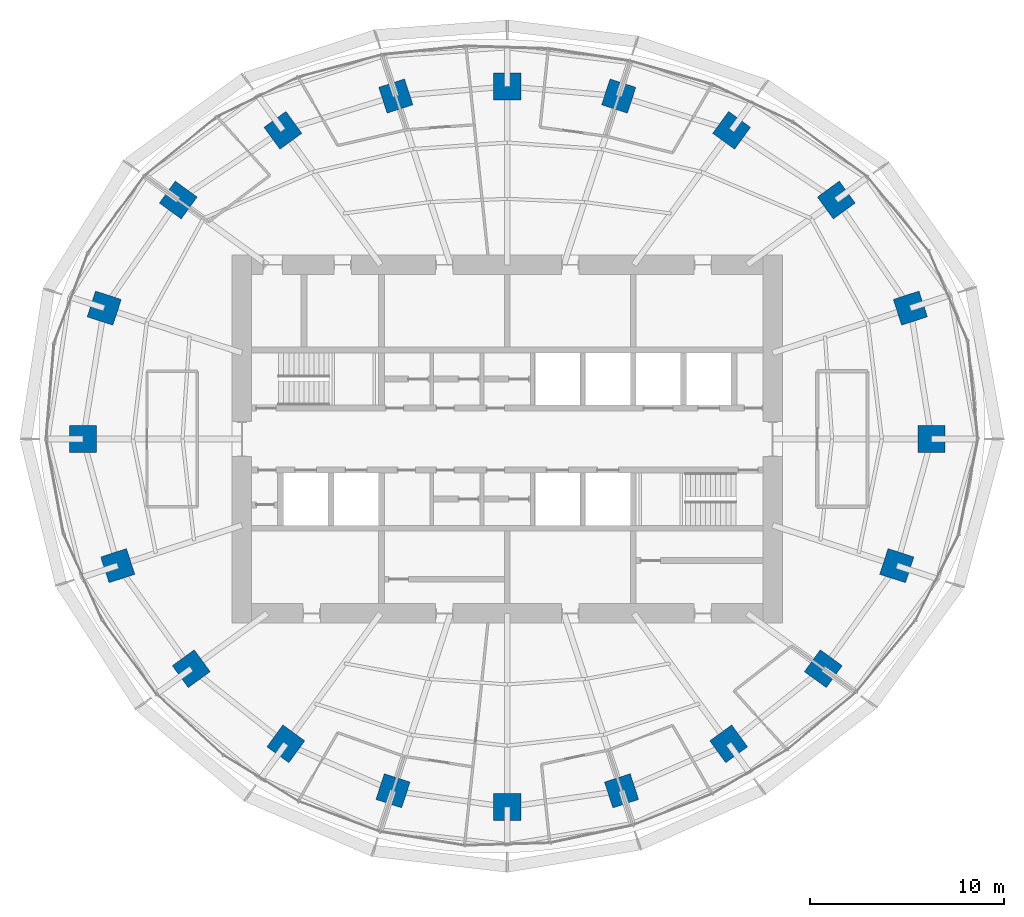
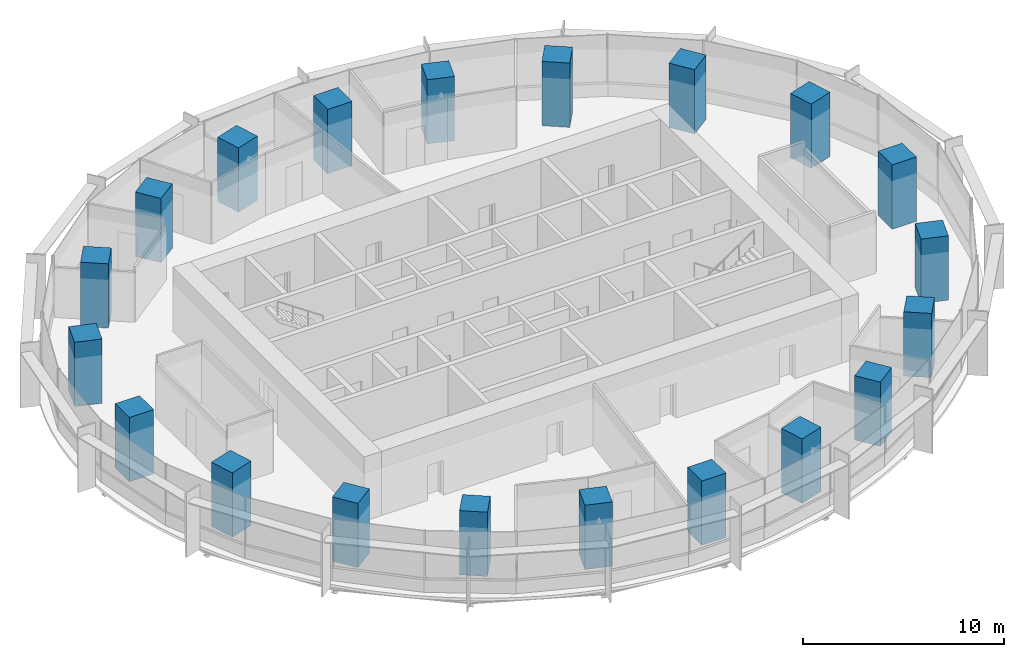
# One storey, part 1 of 15: 20 columns.
"""IFC4 building model written with IfcOpenShell, lengths in metres."""

from ifc_helpers import new_model, si_unit, direction, frame, origin, origin_2d, place, context, subcontext, project, spatial, rectangle, extrude, material, material_profile, profile_set, type_object, element, save


model = new_model("IFC4")

# Units and contexts
model_context = context("Model", 3, precision=1e-05, world=origin(), true_north=direction((0.0, 1.0)))
body_context = subcontext(model_context, "Body", "Model", "MODEL_VIEW")
ifc_project = project(units=[si_unit("LENGTHUNIT", "METRE"), si_unit("AREAUNIT", "SQUARE_METRE"), si_unit("VOLUMEUNIT", "CUBIC_METRE"), si_unit("PLANEANGLEUNIT", "RADIAN"), si_unit("MASSUNIT", "GRAM", prefix="KILO")], contexts=[model_context])

# Site, building, storey
site_placement = place(None, origin())
site = spatial("IfcSite", under=ifc_project, at=site_placement, CompositionType="ELEMENT")
building_placement = place(site_placement, origin())
building = spatial("IfcBuilding", under=site, at=building_placement, Name="Marramba Exchange Tower", CompositionType="ELEMENT")
storey_placement = place(building_placement, frame((0.0, 0.0, 187.699951171875)))
storey = spatial("IfcBuildingStorey", under=building, at=storey_placement, Name="L45", CompositionType="ELEMENT", Elevation=187.699951171875)

# Columns
ifc_material = material(Name="Concrete N50", Category="concrete")
ifc_material_profile = material_profile(ifc_material, rectangle(XDim=1.39990234375, YDim=1.39990234375, at=origin_2d()), Name="RC 1400x1400")
ifc_profile_set = profile_set([ifc_material_profile], Name="Concrete N50")
column_type = type_object("IfcColumnType", Name="Perimeter column RC 1400x1400 N50", PredefinedType="COLUMN", material=ifc_profile_set)
for number, where, z_axis, x_axis, name in (
    (1, (21.89990234375, 0.0, 0.0), (0.0, 0.0, 1.0), (1.0, 0.0, 0.0), "Column TC01 L45"),
    (2, (20.808349609375, 6.760986328125, 0.0), (0.0, 0.0, 1.0), (0.951056516295, 0.309016994375, 0.0), "Column TC02 L45"),
    (3, (16.98583984375, 12.3408203125, 0.0), (0.0, 0.0, 1.0), (0.809016994375, 0.587785252292, 0.0), "Column TC03 L45"),
    (4, (11.581298828125, 15.9404296875, 0.0), (0.0, 0.0, 1.0), (0.587785252292, 0.809016994375, 0.0), "Column TC04 L45"),
    (5, (5.75390625, 17.70849609375, 0.0), (0.0, 0.0, 1.0), (0.309016994375, 0.951056516295, 0.0), "Column TC05 L45"),
    (6, (0.0, 18.2041015625, 0.0), (0.0, 0.0, 1.0), (0.0, 1.0, 0.0), "Column TC06 L45"),
    (7, (-5.75390625, 17.70849609375, 0.0), (0.0, 0.0, 1.0), (-0.309016994375, 0.951056516295, 0.0), "Column TC07 L45"),
    (8, (-11.581298828125, 15.9404296875, 0.0), (0.0, 0.0, 1.0), (-0.587785252292, 0.809016994375, 0.0), "Column TC08 L45"),
    (9, (-16.98583984375, 12.3408203125, 0.0), (0.0, 0.0, 1.0), (-0.809016994375, 0.587785252292, 0.0), "Column TC09 L45"),
    (10, (-20.808349609375, 6.760986328125, 0.0), (0.0, 0.0, 1.0), (-0.951056516295, 0.309016994375, 0.0), "Column TC10 L45"),
    (11, (-21.89990234375, 0.0, 0.0), (0.0, 0.0, 1.0), (-1.0, 0.0, 0.0), "Column TC11 L45"),
    (12, (-20.109375, -6.533935546875, 0.0), (0.0, 0.0, 1.0), (-0.951056516295, -0.309016994375, 0.0), "Column TC12 L45"),
    (13, (-16.3154296875, -11.853759765625, 0.0), (0.0, 0.0, 1.0), (-0.809016994375, -0.587785252292, 0.0), "Column TC13 L45"),
    (14, (-11.430419921875, -15.732666015625, 0.0), (0.0, 0.0, 1.0), (-0.587785252292, -0.809016994375, 0.0), "Column TC14 L45"),
    (15, (-5.899658203125, -18.156982421875, 0.0), (0.0, 0.0, 1.0), (-0.309016994375, -0.951056516295, 0.0), "Column TC15 L45"),
    (16, (0.0, -18.99609375, 0.0), (0.0, 0.0, 1.0), (0.0, -1.0, 0.0), "Column TC16 L45"),
    (17, (5.899658203125, -18.156982421875, 0.0), (0.0, 0.0, 1.0), (0.309016994375, -0.951056516295, 0.0), "Column TC17 L45"),
    (18, (11.430419921875, -15.732666015625, 0.0), (0.0, 0.0, 1.0), (0.587785252292, -0.809016994375, 0.0), "Column TC18 L45"),
    (19, (16.3154296875, -11.853759765625, 0.0), (0.0, 0.0, 1.0), (0.809016994375, -0.587785252292, 0.0), "Column TC19 L45"),
    (20, (20.109375, -6.533935546875, 0.0), (0.0, 0.0, 1.0), (0.951056516295, -0.309016994375, 0.0), "Column TC20 L45"),
):
    element("IfcColumn", number, at=place(storey_placement, frame(where, z_axis=z_axis, x_axis=x_axis)), inside=storey, type_object=column_type, Name=name, PredefinedType="COLUMN", context=body_context, shape_type="SweptSolid", body=[
        extrude(rectangle(XDim=1.39990234375, YDim=1.39990234375, at=origin_2d()), origin(), (0.0, 0.0, 1.0), 3.900146484375),
    ])

save(model, "model.ifc")
